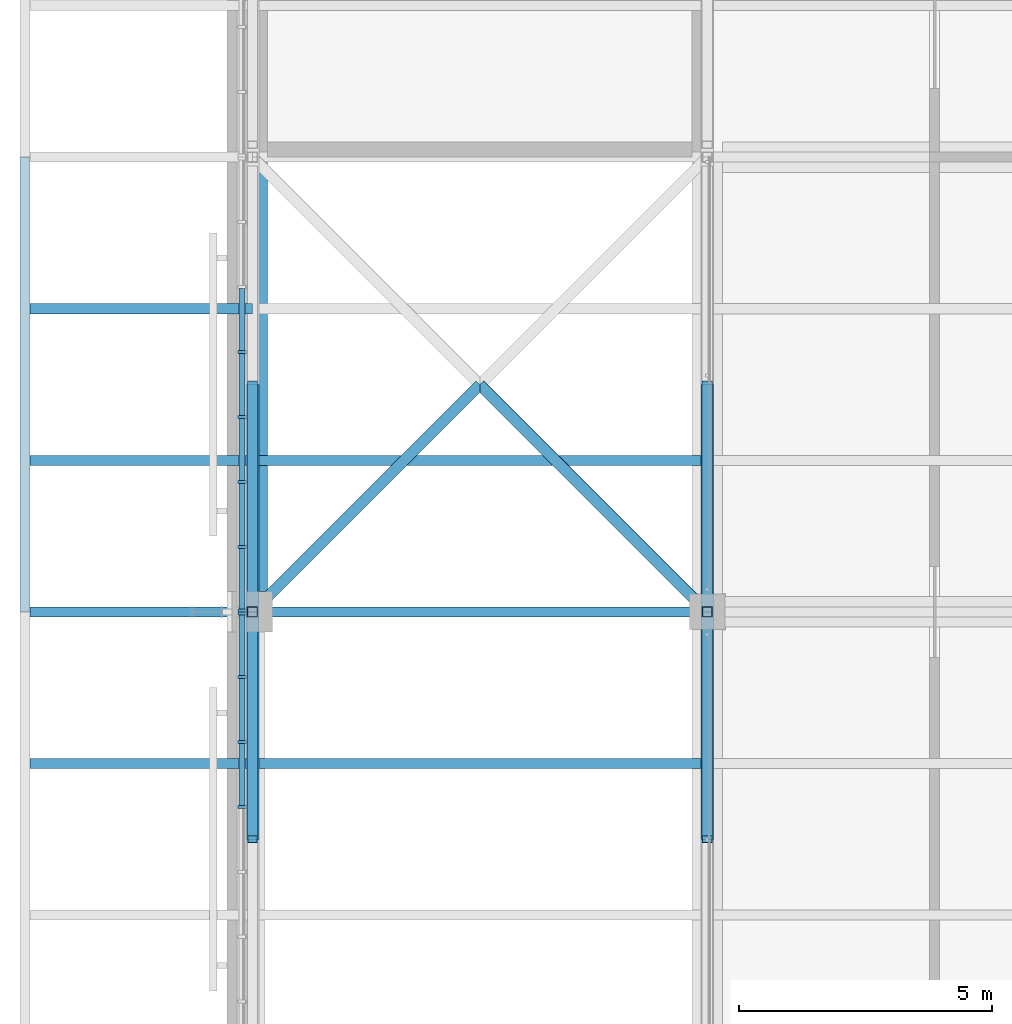
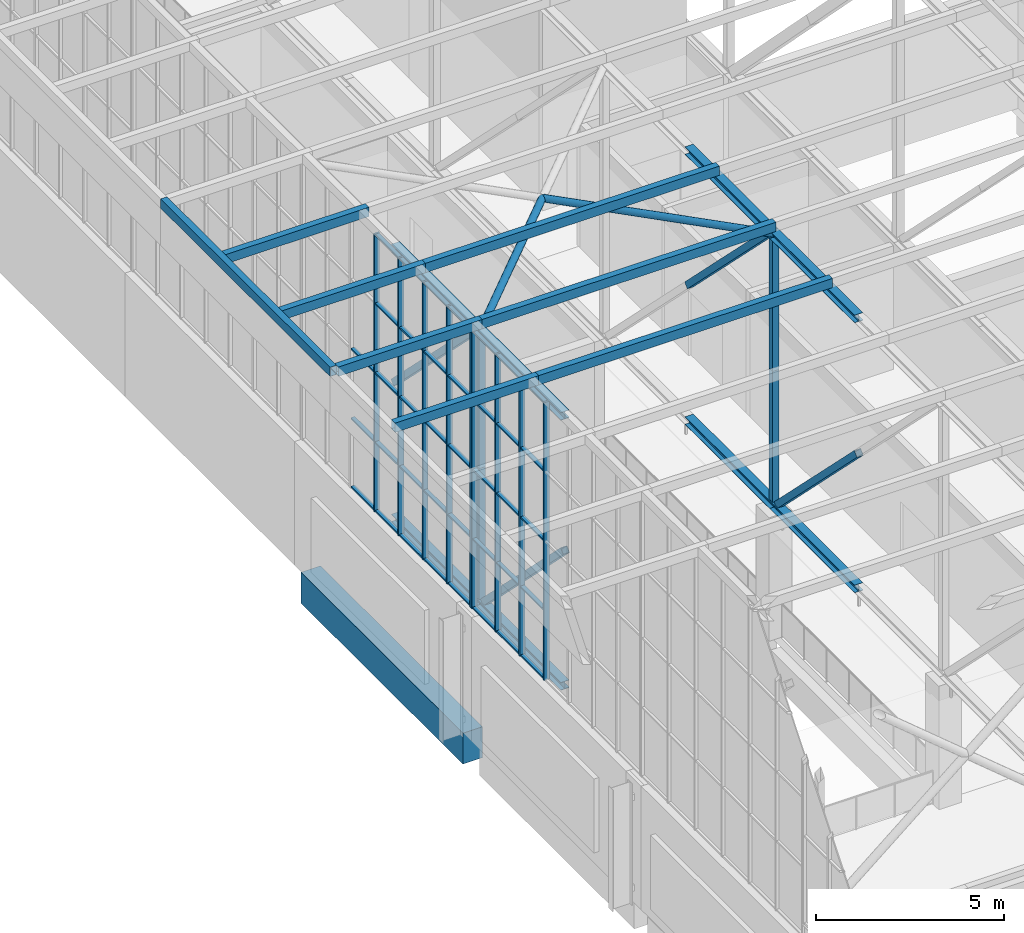
# One storey, part 22 of 646: 73 members, 1 beam, 2 elements without a shape of their own.
"""IFC4 building model written with IfcOpenShell, lengths in metres."""

from ifc_helpers import new_model, si_unit, direction, frame, origin, origin_2d, place, context, subcontext, project, spatial, rectangle, hollow_rectangle, hollow_circle, i_section, extrude, material, material_profile, profile_set, type_object, element, aggregate, save


model = new_model("IFC4")

# Units and contexts
model_context = context("Model", 3, precision=1e-05, world=origin(), true_north=direction((0.0, 1.0)))
body_context = subcontext(model_context, "Body", "Model", "MODEL_VIEW")
ifc_project = project(units=[si_unit("LENGTHUNIT", "METRE"), si_unit("AREAUNIT", "SQUARE_METRE"), si_unit("VOLUMEUNIT", "CUBIC_METRE"), si_unit("PLANEANGLEUNIT", "RADIAN"), si_unit("MASSUNIT", "GRAM", prefix="KILO")], contexts=[model_context])

# Site, building, storey
site_placement = place(None, origin())
site = spatial("IfcSite", under=ifc_project, at=site_placement, CompositionType="ELEMENT")
building_placement = place(site_placement, origin())
building = spatial("IfcBuilding", under=site, at=building_placement, Name="Silverbay Arena", CompositionType="ELEMENT")
storey_placement = place(building_placement, frame((0.0, 0.0, 33.5)))
storey = spatial("IfcBuildingStorey", under=building, at=storey_placement, Name="L05", CompositionType="ELEMENT", Elevation=33.5)

# Curtain wall, members
ifc_material_1 = material(Name="Aluminium framed glazing", Category="aluminium")
curtain_wall_type = type_object("IfcCurtainWallType", Name="Curtain wall clerestory 9000 x 9000", PredefinedType="NOTDEFINED", material=ifc_material_1)
curtain_wall_1_placement = place(storey_placement, origin())
curtain_wall_1 = element("IfcCurtainWall", 1, at=curtain_wall_1_placement, inside=storey, type_object=curtain_wall_type, Name="ROOF GABLE CLERESTORY CURTAIN WALL west bay 04", PredefinedType="NOTDEFINED")
ifc_material_2 = material(Name="Aluminium", Category="aluminium")
ifc_material_profile_1 = material_profile(ifc_material_2, rectangle(XDim=0.159912109375, YDim=0.06005859375, at=origin_2d()), Name="Mullion 60 x 160")
ifc_profile_set_1 = profile_set([ifc_material_profile_1], Name="Aluminium")
member_type_1 = type_object("IfcMemberType", Name="Mullion 60 x 160", PredefinedType="MULLION", material=ifc_profile_set_1)
member_1_placement = place(storey_placement, frame((53.7900390625, 41.142822265625, 4.0), z_axis=(0.0, 0.0, 1.0), x_axis=(-1.0, 0.0, 0.0)))
member_1 = element("IfcMember", 2, at=member_1_placement, type_object=member_type_1, Name="CW60 mullion 5", PredefinedType="MULLION", context=body_context, shape_type="SweptSolid", body=[
    extrude(rectangle(XDim=0.159912109375, YDim=0.06005859375, at=origin_2d()), origin(), (0.0, 0.0, 1.0), 9.0),
])
member_2_placement = place(storey_placement, frame((53.7900390625, 42.428466796875, 4.0), z_axis=(0.0, 0.0, 1.0), x_axis=(-1.0, 0.0, 0.0)))
member_2 = element("IfcMember", 3, at=member_2_placement, type_object=member_type_1, Name="CW60 mullion 6", PredefinedType="MULLION", context=body_context, shape_type="SweptSolid", body=[
    extrude(rectangle(XDim=0.159912109375, YDim=0.06005859375, at=origin_2d()), origin(), (0.0, 0.0, 1.0), 9.0),
])
member_3_placement = place(storey_placement, frame((53.7900390625, 43.71435546875, 4.0), z_axis=(0.0, 0.0, 1.0), x_axis=(-1.0, 0.0, 0.0)))
member_3 = element("IfcMember", 4, at=member_3_placement, type_object=member_type_1, Name="CW60 mullion 7", PredefinedType="MULLION", context=body_context, shape_type="SweptSolid", body=[
    extrude(rectangle(XDim=0.159912109375, YDim=0.06005859375, at=origin_2d()), origin(), (0.0, 0.0, 1.0), 9.0),
])
member_4_placement = place(storey_placement, frame((53.7900390625, 44.969970703125, 4.0), z_axis=(0.0, 0.0, 1.0), x_axis=(-1.0, 0.0, 0.0)))
member_4 = element("IfcMember", 5, at=member_4_placement, type_object=member_type_1, Name="CW60 mullion 8", PredefinedType="MULLION", context=body_context, shape_type="SweptSolid", body=[
    extrude(rectangle(XDim=0.159912109375, YDim=0.06005859375, at=origin_2d()), origin(), (0.0, 0.0, 1.0), 9.0),
])

curtain_wall_2_placement = place(storey_placement, origin())
curtain_wall_2 = element("IfcCurtainWall", 6, at=curtain_wall_2_placement, inside=storey, type_object=curtain_wall_type, Name="ROOF GABLE CLERESTORY CURTAIN WALL west bay 05", PredefinedType="NOTDEFINED")
member_5_placement = place(storey_placement, frame((53.7900390625, 45.030029296875, 4.0), z_axis=(0.0, 0.0, 1.0), x_axis=(-1.0, 0.0, 0.0)))
member_5 = element("IfcMember", 7, at=member_5_placement, type_object=member_type_1, Name="CW60 mullion 1", PredefinedType="MULLION", context=body_context, shape_type="SweptSolid", body=[
    extrude(rectangle(XDim=0.159912109375, YDim=0.06005859375, at=origin_2d()), origin(), (0.0, 0.0, 1.0), 9.0),
])
member_6_placement = place(storey_placement, frame((53.7900390625, 46.28564453125, 4.0), z_axis=(0.0, 0.0, 1.0), x_axis=(-1.0, 0.0, 0.0)))
member_6 = element("IfcMember", 8, at=member_6_placement, type_object=member_type_1, Name="CW60 mullion 2", PredefinedType="MULLION", context=body_context, shape_type="SweptSolid", body=[
    extrude(rectangle(XDim=0.159912109375, YDim=0.06005859375, at=origin_2d()), origin(), (0.0, 0.0, 1.0), 9.0),
])
member_7_placement = place(storey_placement, frame((53.7900390625, 47.571533203125, 4.0), z_axis=(0.0, 0.0, 1.0), x_axis=(-1.0, 0.0, 0.0)))
member_7 = element("IfcMember", 9, at=member_7_placement, type_object=member_type_1, Name="CW60 mullion 3", PredefinedType="MULLION", context=body_context, shape_type="SweptSolid", body=[
    extrude(rectangle(XDim=0.159912109375, YDim=0.06005859375, at=origin_2d()), origin(), (0.0, 0.0, 1.0), 9.0),
])
member_8_placement = place(storey_placement, frame((53.7900390625, 48.857177734375, 4.0), z_axis=(0.0, 0.0, 1.0), x_axis=(-1.0, 0.0, 0.0)))
member_8 = element("IfcMember", 10, at=member_8_placement, type_object=member_type_1, Name="CW60 mullion 4", PredefinedType="MULLION", context=body_context, shape_type="SweptSolid", body=[
    extrude(rectangle(XDim=0.159912109375, YDim=0.06005859375, at=origin_2d()), origin(), (0.0, 0.0, 1.0), 9.0),
])
member_9_placement = place(storey_placement, frame((53.7900390625, 50.142822265625, 4.0), z_axis=(0.0, 0.0, 1.0), x_axis=(-1.0, 0.0, 0.0)))
member_9 = element("IfcMember", 11, at=member_9_placement, type_object=member_type_1, Name="CW60 mullion 5", PredefinedType="MULLION", context=body_context, shape_type="SweptSolid", body=[
    extrude(rectangle(XDim=0.159912109375, YDim=0.06005859375, at=origin_2d()), origin(), (0.0, 0.0, 1.0), 9.0),
])

# Members
ifc_material_3 = material(Name="Steel S355", Category="steel")
ifc_material_profile_2 = material_profile(ifc_material_3, hollow_circle(Radius=0.109619140625, WallThickness=0.00634765625, at=origin_2d()), Name="CHS 219.1x6.3")
ifc_profile_set_2 = profile_set([ifc_material_profile_2], Name="Steel S355")
member_type_2 = type_object("IfcMemberType", Name="Plan bracing CHS 219.1x6.3", PredefinedType="BRACE", material=ifc_profile_set_2)
for number, where, z_axis, x_axis, name in (
    (12, (54.0, 45.0, 12.873046875), (0.707106781187, 0.707106781187, 0.0), (-0.707106781187, 0.707106781187, 0.0), "ROOF BRACING top 7-8 panel 05 Aa"),
    (13, (58.5, 49.5, 12.873046875), (0.707106781187, -0.707106781187, 0.0), (0.707106781187, 0.707106781187, 0.0), "ROOF BRACING top 7-8 panel 05 Bb"),
):
    element("IfcMember", number, at=place(storey_placement, frame(where, z_axis=z_axis, x_axis=x_axis)), inside=storey, type_object=member_type_2, Name=name, PredefinedType="BRACE", context=body_context, shape_type="SweptSolid", body=[
        extrude(hollow_circle(Radius=0.109619140625, WallThickness=0.00634765625, at=origin_2d()), origin(), (0.0, 0.0, 1.0), 6.364013671875),
    ])
ifc_material_4 = material(Name="Steel S355", Category="steel")
ifc_material_profile_3 = material_profile(ifc_material_4, hollow_rectangle(XDim=0.199951171875, YDim=0.300048828125, WallThickness=0.008056640625, at=origin_2d()), Name="RHS 300x200x8")
ifc_profile_set_3 = profile_set([ifc_material_profile_3], Name="Steel S355")
member_type_3 = type_object("IfcMemberType", Name="Purlin RHS 300x200x8", PredefinedType="PURLIN", material=ifc_profile_set_3)
for number, where, z_axis, x_axis, name in (
    (14, (54.0, 42.0, 13.14990234375), (1.0, 0.0, 0.0), (0.0, 1.0, 0.0), "ROOF PURLIN 7-8 line 12"),
    (15, (54.0, 45.0, 13.14990234375), (1.0, 0.0, 0.0), (0.0, 1.0, 0.0), "ROOF PURLIN 7-8 line 13"),
    (16, (54.0, 48.0, 13.14990234375), (1.0, 0.0, 0.0), (0.0, 1.0, 0.0), "ROOF PURLIN 7-8 line 14"),
):
    element("IfcMember", number, at=place(storey_placement, frame(where, z_axis=z_axis, x_axis=x_axis)), inside=storey, type_object=member_type_3, Name=name, PredefinedType="PURLIN", context=body_context, shape_type="SweptSolid", body=[
        extrude(hollow_rectangle(XDim=0.199951171875, YDim=0.300048828125, WallThickness=0.008056640625, at=origin_2d()), origin(), (0.0, 0.0, 1.0), 9.0),
    ])
for number, where, z_axis, x_axis, name in (
    (17, (49.60009765625, 42.0, 13.14990234375), (1.0, 0.0, 0.0), (0.0, 1.0, 0.0), "ROOF PURLIN west eave line 12"),
    (18, (49.60009765625, 45.0, 13.14990234375), (1.0, 0.0, 0.0), (0.0, 1.0, 0.0), "ROOF PURLIN west eave line 13"),
    (19, (49.60009765625, 48.0, 13.14990234375), (1.0, 0.0, 0.0), (0.0, 1.0, 0.0), "ROOF PURLIN west eave line 14"),
    (20, (49.60009765625, 51.0, 13.14990234375), (1.0, 0.0, 0.0), (0.0, 1.0, 0.0), "ROOF PURLIN west eave line 15"),
):
    element("IfcMember", number, at=place(storey_placement, frame(where, z_axis=z_axis, x_axis=x_axis)), inside=storey, type_object=member_type_3, Name=name, PredefinedType="PURLIN", context=body_context, shape_type="SweptSolid", body=[
        extrude(hollow_rectangle(XDim=0.199951171875, YDim=0.300048828125, WallThickness=0.008056640625, at=origin_2d()), origin(), (0.0, 0.0, 1.0), 4.39990234375),
    ])
member_10_placement = place(storey_placement, frame((49.5, 45.0, 13.14990234375), z_axis=(0.0, 1.0, 0.0), x_axis=(-1.0, 0.0, 0.0)))
element("IfcMember", 21, at=member_10_placement, inside=storey, type_object=member_type_3, Name="ROOF PURLIN west eave edge 05", PredefinedType="PURLIN", context=body_context, shape_type="SweptSolid", body=[
    extrude(hollow_rectangle(XDim=0.199951171875, YDim=0.300048828125, WallThickness=0.008056640625, at=origin_2d()), origin(), (0.0, 0.0, 1.0), 9.0),
])

# Beam
ifc_material_5 = material(Name="Concrete Grade C45", Category="concrete")
ifc_material_profile_4 = material_profile(ifc_material_5, rectangle(XDim=0.60009765625, YDim=1.0, at=origin_2d()), Name="RC 600x1000")
ifc_profile_set_4 = profile_set([ifc_material_profile_4], Name="Concrete Grade C45")
beam_type = type_object("IfcBeamType", Name="RC beam 600x1000", PredefinedType="BEAM", material=ifc_profile_set_4)
beam_placement = place(storey_placement, frame((54.0, 45.39990234375, -0.800048828125), z_axis=(0.0, 1.0, 0.0), x_axis=(-1.0, 0.0, 0.0)))
element("IfcBeam", 22, at=beam_placement, inside=storey, type_object=beam_type, Name="Floor beam L05 073", PredefinedType="BEAM", context=body_context, shape_type="SweptSolid", body=[
    extrude(rectangle(XDim=0.60009765625, YDim=1.0, at=origin_2d()), origin(), (0.0, 0.0, 1.0), 8.60009765625),
])

# Members
ifc_material_6 = material(Name="Steel S355", Category="steel")
ifc_material_profile_5 = material_profile(ifc_material_6, i_section(OverallWidth=0.254638671875, OverallDepth=0.254150390625, WebThickness=0.008544921875, FlangeThickness=0.01416015625, at=origin_2d()), Name="UC 254x254x73")
ifc_profile_set_5 = profile_set([ifc_material_profile_5], Name="Steel S355")
member_type_4 = type_object("IfcMemberType", Name="Short-span bottom chord UC 254x254x73", PredefinedType="CHORD", material=ifc_profile_set_5)
for number, where, z_axis, x_axis, name in (
    (23, (54.0, 40.5, 4.126953125), (0.0, 1.0, 0.0), (-1.0, 0.0, 0.0), "ROOF TRUSS 7 bottom chord 04b"),
    (24, (54.0, 45.0, 4.126953125), (0.0, 1.0, 0.0), (-1.0, 0.0, 0.0), "ROOF TRUSS 7 bottom chord 05a"),
    (25, (63.0, 40.5, 4.126953125), (0.0, 1.0, 0.0), (-1.0, 0.0, 0.0), "ROOF TRUSS 8 bottom chord 04b"),
    (26, (63.0, 45.0, 4.126953125), (0.0, 1.0, 0.0), (-1.0, 0.0, 0.0), "ROOF TRUSS 8 bottom chord 05a"),
):
    element("IfcMember", number, at=place(storey_placement, frame(where, z_axis=z_axis, x_axis=x_axis)), inside=storey, type_object=member_type_4, Name=name, PredefinedType="CHORD", context=body_context, shape_type="SweptSolid", body=[
        extrude(i_section(OverallWidth=0.254638671875, OverallDepth=0.254150390625, WebThickness=0.008544921875, FlangeThickness=0.01416015625, at=origin_2d()), origin(), (0.0, 0.0, 1.0), 4.5),
    ])
ifc_material_7 = material(Name="Steel S355", Category="steel")
ifc_material_profile_6 = material_profile(ifc_material_7, i_section(OverallWidth=0.254638671875, OverallDepth=0.254150390625, WebThickness=0.008544921875, FlangeThickness=0.01416015625, at=origin_2d()), Name="UC 254x254x73")
ifc_profile_set_6 = profile_set([ifc_material_profile_6], Name="Steel S355")
member_type_5 = type_object("IfcMemberType", Name="Short-span top chord UC 254x254x73", PredefinedType="CHORD", material=ifc_profile_set_6)
for number, where, z_axis, x_axis, name in (
    (27, (54.0, 40.5, 12.873046875), (0.0, 1.0, 0.0), (-1.0, 0.0, 0.0), "ROOF TRUSS 7 top chord 04b"),
    (28, (54.0, 45.0, 12.873046875), (0.0, 1.0, 0.0), (-1.0, 0.0, 0.0), "ROOF TRUSS 7 top chord 05a"),
    (29, (63.0, 40.5, 12.873046875), (0.0, 1.0, 0.0), (-1.0, 0.0, 0.0), "ROOF TRUSS 8 top chord 04b"),
    (30, (63.0, 45.0, 12.873046875), (0.0, 1.0, 0.0), (-1.0, 0.0, 0.0), "ROOF TRUSS 8 top chord 05a"),
):
    element("IfcMember", number, at=place(storey_placement, frame(where, z_axis=z_axis, x_axis=x_axis)), inside=storey, type_object=member_type_5, Name=name, PredefinedType="CHORD", context=body_context, shape_type="SweptSolid", body=[
        extrude(i_section(OverallWidth=0.254638671875, OverallDepth=0.254150390625, WebThickness=0.008544921875, FlangeThickness=0.01416015625, at=origin_2d()), origin(), (0.0, 0.0, 1.0), 4.5),
    ])
ifc_material_8 = material(Name="Steel S355", Category="steel")
ifc_material_profile_7 = material_profile(ifc_material_8, hollow_rectangle(XDim=0.199951171875, YDim=0.199951171875, WallThickness=0.008056640625, at=origin_2d()), Name="SHS 200x200x8")
ifc_profile_set_7 = profile_set([ifc_material_profile_7], Name="Steel S355")
member_type_6 = type_object("IfcMemberType", Name="Short-span truss diagonal SHS 200x200x8", PredefinedType="BRACE", material=ifc_profile_set_7)
for number, where, z_axis, x_axis, name in (
    (31, (54.0, 40.5, 8.5), (0.0, 0.70781724692, -0.706395600894), (-1.0, 0.0, 0.0), "ROOF TRUSS 7 diagonal 04b"),
    (32, (54.0, 45.24560546875, 12.745849609375), (0.0, 0.70781724692, -0.706395600894), (-1.0, 0.0, 0.0), "ROOF TRUSS 7 diagonal 05a"),
    (33, (63.0, 40.5, 8.5), (0.0, 0.70781724692, -0.706395600894), (-1.0, 0.0, 0.0), "ROOF TRUSS 8 diagonal 04b"),
    (34, (63.0, 45.24560546875, 12.745849609375), (0.0, 0.70781724692, -0.706395600894), (-1.0, 0.0, 0.0), "ROOF TRUSS 8 diagonal 05a"),
):
    element("IfcMember", number, at=place(storey_placement, frame(where, z_axis=z_axis, x_axis=x_axis)), inside=storey, type_object=member_type_6, Name=name, PredefinedType="BRACE", context=body_context, shape_type="SweptSolid", body=[
        extrude(hollow_rectangle(XDim=0.199951171875, YDim=0.199951171875, WallThickness=0.008056640625, at=origin_2d()), origin(), (0.0, 0.0, 1.0), 6.010498046875),
    ])
ifc_material_9 = material(Name="Steel S355", Category="steel")
ifc_material_profile_8 = material_profile(ifc_material_9, hollow_rectangle(XDim=0.199951171875, YDim=0.199951171875, WallThickness=0.008056640625, at=origin_2d()), Name="SHS 200x200x8")
ifc_profile_set_8 = profile_set([ifc_material_profile_8], Name="Steel S355")
member_type_7 = type_object("IfcMemberType", Name="Short-span truss vertical SHS 200x200x8", PredefinedType="STRUT", material=ifc_profile_set_8)
for number, where, z_axis, x_axis, name in (
    (35, (54.0, 45.0, 4.254150390625), (0.0, 0.0, 1.0), (1.0, 0.0, 0.0), "ROOF TRUSS 7 vertical 05a"),
    (36, (54.0, 45.0, 8.5), (0.0, 0.0, 1.0), (1.0, 0.0, 0.0), "ROOF TRUSS 7 vertical 05b"),
    (37, (63.0, 45.0, 4.254150390625), (0.0, 0.0, 1.0), (1.0, 0.0, 0.0), "ROOF TRUSS 8 vertical 05a"),
    (38, (63.0, 45.0, 8.5), (0.0, 0.0, 1.0), (1.0, 0.0, 0.0), "ROOF TRUSS 8 vertical 05b"),
):
    element("IfcMember", number, at=place(storey_placement, frame(where, z_axis=z_axis, x_axis=x_axis)), inside=storey, type_object=member_type_7, Name=name, PredefinedType="STRUT", context=body_context, shape_type="SweptSolid", body=[
        extrude(hollow_rectangle(XDim=0.199951171875, YDim=0.199951171875, WallThickness=0.008056640625, at=origin_2d()), origin(), (0.0, 0.0, 1.0), 4.245849609375),
    ])

# Member
ifc_material_10 = material(Name="Aluminium", Category="aluminium")
ifc_material_profile_9 = material_profile(ifc_material_10, rectangle(XDim=0.1201171875, YDim=0.050048828125, at=origin_2d()), Name="Transom 50 x 120")
ifc_profile_set_9 = profile_set([ifc_material_profile_9], Name="Aluminium")
member_type_8 = type_object("IfcMemberType", Name="Transom 50 x 120", PredefinedType="USERDEFINED", material=ifc_profile_set_9)
member_11_placement = place(storey_placement, frame((53.7900390625, 41.1728515625, 4.02490234375), z_axis=(0.0, 1.0, 0.0), x_axis=(-1.0, 0.0, 0.0)))
member_11 = element("IfcMember", 39, at=member_11_placement, type_object=member_type_8, Name="CW60 transom 5.1", ObjectType="TRANSOM", PredefinedType="USERDEFINED", context=body_context, shape_type="SweptSolid", body=[
    extrude(rectangle(XDim=0.1201171875, YDim=0.050048828125, at=origin_2d()), origin(), (0.0, 0.0, 1.0), 1.225830078125),
])

member_12_placement = place(storey_placement, frame((53.7900390625, 41.1728515625, 6.25), z_axis=(0.0, 1.0, 0.0), x_axis=(-1.0, 0.0, 0.0)))
member_12 = element("IfcMember", 40, at=member_12_placement, type_object=member_type_8, Name="CW60 transom 5.2", ObjectType="TRANSOM", PredefinedType="USERDEFINED", context=body_context, shape_type="SweptSolid", body=[
    extrude(rectangle(XDim=0.1201171875, YDim=0.050048828125, at=origin_2d()), origin(), (0.0, 0.0, 1.0), 1.225830078125),
])

member_13_placement = place(storey_placement, frame((53.7900390625, 41.1728515625, 8.5), z_axis=(0.0, 1.0, 0.0), x_axis=(-1.0, 0.0, 0.0)))
member_13 = element("IfcMember", 41, at=member_13_placement, type_object=member_type_8, Name="CW60 transom 5.3", ObjectType="TRANSOM", PredefinedType="USERDEFINED", context=body_context, shape_type="SweptSolid", body=[
    extrude(rectangle(XDim=0.1201171875, YDim=0.050048828125, at=origin_2d()), origin(), (0.0, 0.0, 1.0), 1.225830078125),
])

member_14_placement = place(storey_placement, frame((53.7900390625, 41.1728515625, 10.75), z_axis=(0.0, 1.0, 0.0), x_axis=(-1.0, 0.0, 0.0)))
member_14 = element("IfcMember", 42, at=member_14_placement, type_object=member_type_8, Name="CW60 transom 5.4", ObjectType="TRANSOM", PredefinedType="USERDEFINED", context=body_context, shape_type="SweptSolid", body=[
    extrude(rectangle(XDim=0.1201171875, YDim=0.050048828125, at=origin_2d()), origin(), (0.0, 0.0, 1.0), 1.225830078125),
])

member_15_placement = place(storey_placement, frame((53.7900390625, 41.1728515625, 12.97509765625), z_axis=(0.0, 1.0, 0.0), x_axis=(-1.0, 0.0, 0.0)))
member_15 = element("IfcMember", 43, at=member_15_placement, type_object=member_type_8, Name="CW60 transom 5.5", ObjectType="TRANSOM", PredefinedType="USERDEFINED", context=body_context, shape_type="SweptSolid", body=[
    extrude(rectangle(XDim=0.1201171875, YDim=0.050048828125, at=origin_2d()), origin(), (0.0, 0.0, 1.0), 1.225830078125),
])

member_16_placement = place(storey_placement, frame((53.7900390625, 42.45849609375, 4.02490234375), z_axis=(0.0, 1.0, 0.0), x_axis=(-1.0, 0.0, 0.0)))
member_16 = element("IfcMember", 44, at=member_16_placement, type_object=member_type_8, Name="CW60 transom 6.1", ObjectType="TRANSOM", PredefinedType="USERDEFINED", context=body_context, shape_type="SweptSolid", body=[
    extrude(rectangle(XDim=0.1201171875, YDim=0.050048828125, at=origin_2d()), origin(), (0.0, 0.0, 1.0), 1.225830078125),
])

member_17_placement = place(storey_placement, frame((53.7900390625, 42.45849609375, 6.25), z_axis=(0.0, 1.0, 0.0), x_axis=(-1.0, 0.0, 0.0)))
member_17 = element("IfcMember", 45, at=member_17_placement, type_object=member_type_8, Name="CW60 transom 6.2", ObjectType="TRANSOM", PredefinedType="USERDEFINED", context=body_context, shape_type="SweptSolid", body=[
    extrude(rectangle(XDim=0.1201171875, YDim=0.050048828125, at=origin_2d()), origin(), (0.0, 0.0, 1.0), 1.225830078125),
])

member_18_placement = place(storey_placement, frame((53.7900390625, 42.45849609375, 8.5), z_axis=(0.0, 1.0, 0.0), x_axis=(-1.0, 0.0, 0.0)))
member_18 = element("IfcMember", 46, at=member_18_placement, type_object=member_type_8, Name="CW60 transom 6.3", ObjectType="TRANSOM", PredefinedType="USERDEFINED", context=body_context, shape_type="SweptSolid", body=[
    extrude(rectangle(XDim=0.1201171875, YDim=0.050048828125, at=origin_2d()), origin(), (0.0, 0.0, 1.0), 1.225830078125),
])

member_19_placement = place(storey_placement, frame((53.7900390625, 42.45849609375, 10.75), z_axis=(0.0, 1.0, 0.0), x_axis=(-1.0, 0.0, 0.0)))
member_19 = element("IfcMember", 47, at=member_19_placement, type_object=member_type_8, Name="CW60 transom 6.4", ObjectType="TRANSOM", PredefinedType="USERDEFINED", context=body_context, shape_type="SweptSolid", body=[
    extrude(rectangle(XDim=0.1201171875, YDim=0.050048828125, at=origin_2d()), origin(), (0.0, 0.0, 1.0), 1.225830078125),
])

member_20_placement = place(storey_placement, frame((53.7900390625, 42.45849609375, 12.97509765625), z_axis=(0.0, 1.0, 0.0), x_axis=(-1.0, 0.0, 0.0)))
member_20 = element("IfcMember", 48, at=member_20_placement, type_object=member_type_8, Name="CW60 transom 6.5", ObjectType="TRANSOM", PredefinedType="USERDEFINED", context=body_context, shape_type="SweptSolid", body=[
    extrude(rectangle(XDim=0.1201171875, YDim=0.050048828125, at=origin_2d()), origin(), (0.0, 0.0, 1.0), 1.225830078125),
])

member_21_placement = place(storey_placement, frame((53.7900390625, 43.744384765625, 4.02490234375), z_axis=(0.0, 1.0, 0.0), x_axis=(-1.0, 0.0, 0.0)))
member_21 = element("IfcMember", 49, at=member_21_placement, type_object=member_type_8, Name="CW60 transom 7.1", ObjectType="TRANSOM", PredefinedType="USERDEFINED", context=body_context, shape_type="SweptSolid", body=[
    extrude(rectangle(XDim=0.1201171875, YDim=0.050048828125, at=origin_2d()), origin(), (0.0, 0.0, 1.0), 1.195556640625),
])

member_22_placement = place(storey_placement, frame((53.7900390625, 43.744384765625, 6.25), z_axis=(0.0, 1.0, 0.0), x_axis=(-1.0, 0.0, 0.0)))
member_22 = element("IfcMember", 50, at=member_22_placement, type_object=member_type_8, Name="CW60 transom 7.2", ObjectType="TRANSOM", PredefinedType="USERDEFINED", context=body_context, shape_type="SweptSolid", body=[
    extrude(rectangle(XDim=0.1201171875, YDim=0.050048828125, at=origin_2d()), origin(), (0.0, 0.0, 1.0), 1.195556640625),
])

member_23_placement = place(storey_placement, frame((53.7900390625, 43.744384765625, 8.5), z_axis=(0.0, 1.0, 0.0), x_axis=(-1.0, 0.0, 0.0)))
member_23 = element("IfcMember", 51, at=member_23_placement, type_object=member_type_8, Name="CW60 transom 7.3", ObjectType="TRANSOM", PredefinedType="USERDEFINED", context=body_context, shape_type="SweptSolid", body=[
    extrude(rectangle(XDim=0.1201171875, YDim=0.050048828125, at=origin_2d()), origin(), (0.0, 0.0, 1.0), 1.195556640625),
])

member_24_placement = place(storey_placement, frame((53.7900390625, 43.744384765625, 10.75), z_axis=(0.0, 1.0, 0.0), x_axis=(-1.0, 0.0, 0.0)))
member_24 = element("IfcMember", 52, at=member_24_placement, type_object=member_type_8, Name="CW60 transom 7.4", ObjectType="TRANSOM", PredefinedType="USERDEFINED", context=body_context, shape_type="SweptSolid", body=[
    extrude(rectangle(XDim=0.1201171875, YDim=0.050048828125, at=origin_2d()), origin(), (0.0, 0.0, 1.0), 1.195556640625),
])

member_25_placement = place(storey_placement, frame((53.7900390625, 43.744384765625, 12.97509765625), z_axis=(0.0, 1.0, 0.0), x_axis=(-1.0, 0.0, 0.0)))
member_25 = element("IfcMember", 53, at=member_25_placement, type_object=member_type_8, Name="CW60 transom 7.5", ObjectType="TRANSOM", PredefinedType="USERDEFINED", context=body_context, shape_type="SweptSolid", body=[
    extrude(rectangle(XDim=0.1201171875, YDim=0.050048828125, at=origin_2d()), origin(), (0.0, 0.0, 1.0), 1.195556640625),
])

aggregate(curtain_wall_1, [member_1, member_2, member_3, member_4, member_11, member_12, member_13, member_14, member_15, member_16, member_17, member_18, member_19, member_20, member_21, member_22, member_23, member_24, member_25])

member_26_placement = place(storey_placement, frame((53.7900390625, 45.06005859375, 4.02490234375), z_axis=(0.0, 1.0, 0.0), x_axis=(-1.0, 0.0, 0.0)))
member_26 = element("IfcMember", 54, at=member_26_placement, type_object=member_type_8, Name="CW60 transom 1.1", ObjectType="TRANSOM", PredefinedType="USERDEFINED", context=body_context, shape_type="SweptSolid", body=[
    extrude(rectangle(XDim=0.1201171875, YDim=0.050048828125, at=origin_2d()), origin(), (0.0, 0.0, 1.0), 1.195556640625),
])

member_27_placement = place(storey_placement, frame((53.7900390625, 45.06005859375, 6.25), z_axis=(0.0, 1.0, 0.0), x_axis=(-1.0, 0.0, 0.0)))
member_27 = element("IfcMember", 55, at=member_27_placement, type_object=member_type_8, Name="CW60 transom 1.2", ObjectType="TRANSOM", PredefinedType="USERDEFINED", context=body_context, shape_type="SweptSolid", body=[
    extrude(rectangle(XDim=0.1201171875, YDim=0.050048828125, at=origin_2d()), origin(), (0.0, 0.0, 1.0), 1.195556640625),
])

member_28_placement = place(storey_placement, frame((53.7900390625, 45.06005859375, 8.5), z_axis=(0.0, 1.0, 0.0), x_axis=(-1.0, 0.0, 0.0)))
member_28 = element("IfcMember", 56, at=member_28_placement, type_object=member_type_8, Name="CW60 transom 1.3", ObjectType="TRANSOM", PredefinedType="USERDEFINED", context=body_context, shape_type="SweptSolid", body=[
    extrude(rectangle(XDim=0.1201171875, YDim=0.050048828125, at=origin_2d()), origin(), (0.0, 0.0, 1.0), 1.195556640625),
])

member_29_placement = place(storey_placement, frame((53.7900390625, 45.06005859375, 10.75), z_axis=(0.0, 1.0, 0.0), x_axis=(-1.0, 0.0, 0.0)))
member_29 = element("IfcMember", 57, at=member_29_placement, type_object=member_type_8, Name="CW60 transom 1.4", ObjectType="TRANSOM", PredefinedType="USERDEFINED", context=body_context, shape_type="SweptSolid", body=[
    extrude(rectangle(XDim=0.1201171875, YDim=0.050048828125, at=origin_2d()), origin(), (0.0, 0.0, 1.0), 1.195556640625),
])

member_30_placement = place(storey_placement, frame((53.7900390625, 45.06005859375, 12.97509765625), z_axis=(0.0, 1.0, 0.0), x_axis=(-1.0, 0.0, 0.0)))
member_30 = element("IfcMember", 58, at=member_30_placement, type_object=member_type_8, Name="CW60 transom 1.5", ObjectType="TRANSOM", PredefinedType="USERDEFINED", context=body_context, shape_type="SweptSolid", body=[
    extrude(rectangle(XDim=0.1201171875, YDim=0.050048828125, at=origin_2d()), origin(), (0.0, 0.0, 1.0), 1.195556640625),
])

member_31_placement = place(storey_placement, frame((53.7900390625, 46.315673828125, 4.02490234375), z_axis=(0.0, 1.0, 0.0), x_axis=(-1.0, 0.0, 0.0)))
member_31 = element("IfcMember", 59, at=member_31_placement, type_object=member_type_8, Name="CW60 transom 2.1", ObjectType="TRANSOM", PredefinedType="USERDEFINED", context=body_context, shape_type="SweptSolid", body=[
    extrude(rectangle(XDim=0.1201171875, YDim=0.050048828125, at=origin_2d()), origin(), (0.0, 0.0, 1.0), 1.225830078125),
])

member_32_placement = place(storey_placement, frame((53.7900390625, 46.315673828125, 6.25), z_axis=(0.0, 1.0, 0.0), x_axis=(-1.0, 0.0, 0.0)))
member_32 = element("IfcMember", 60, at=member_32_placement, type_object=member_type_8, Name="CW60 transom 2.2", ObjectType="TRANSOM", PredefinedType="USERDEFINED", context=body_context, shape_type="SweptSolid", body=[
    extrude(rectangle(XDim=0.1201171875, YDim=0.050048828125, at=origin_2d()), origin(), (0.0, 0.0, 1.0), 1.225830078125),
])

member_33_placement = place(storey_placement, frame((53.7900390625, 46.315673828125, 8.5), z_axis=(0.0, 1.0, 0.0), x_axis=(-1.0, 0.0, 0.0)))
member_33 = element("IfcMember", 61, at=member_33_placement, type_object=member_type_8, Name="CW60 transom 2.3", ObjectType="TRANSOM", PredefinedType="USERDEFINED", context=body_context, shape_type="SweptSolid", body=[
    extrude(rectangle(XDim=0.1201171875, YDim=0.050048828125, at=origin_2d()), origin(), (0.0, 0.0, 1.0), 1.225830078125),
])

member_34_placement = place(storey_placement, frame((53.7900390625, 46.315673828125, 10.75), z_axis=(0.0, 1.0, 0.0), x_axis=(-1.0, 0.0, 0.0)))
member_34 = element("IfcMember", 62, at=member_34_placement, type_object=member_type_8, Name="CW60 transom 2.4", ObjectType="TRANSOM", PredefinedType="USERDEFINED", context=body_context, shape_type="SweptSolid", body=[
    extrude(rectangle(XDim=0.1201171875, YDim=0.050048828125, at=origin_2d()), origin(), (0.0, 0.0, 1.0), 1.225830078125),
])

member_35_placement = place(storey_placement, frame((53.7900390625, 46.315673828125, 12.97509765625), z_axis=(0.0, 1.0, 0.0), x_axis=(-1.0, 0.0, 0.0)))
member_35 = element("IfcMember", 63, at=member_35_placement, type_object=member_type_8, Name="CW60 transom 2.5", ObjectType="TRANSOM", PredefinedType="USERDEFINED", context=body_context, shape_type="SweptSolid", body=[
    extrude(rectangle(XDim=0.1201171875, YDim=0.050048828125, at=origin_2d()), origin(), (0.0, 0.0, 1.0), 1.225830078125),
])

member_36_placement = place(storey_placement, frame((53.7900390625, 47.601318359375, 4.02490234375), z_axis=(0.0, 1.0, 0.0), x_axis=(-1.0, 0.0, 0.0)))
member_36 = element("IfcMember", 64, at=member_36_placement, type_object=member_type_8, Name="CW60 transom 3.1", ObjectType="TRANSOM", PredefinedType="USERDEFINED", context=body_context, shape_type="SweptSolid", body=[
    extrude(rectangle(XDim=0.1201171875, YDim=0.050048828125, at=origin_2d()), origin(), (0.0, 0.0, 1.0), 1.225830078125),
])

member_37_placement = place(storey_placement, frame((53.7900390625, 47.601318359375, 6.25), z_axis=(0.0, 1.0, 0.0), x_axis=(-1.0, 0.0, 0.0)))
member_37 = element("IfcMember", 65, at=member_37_placement, type_object=member_type_8, Name="CW60 transom 3.2", ObjectType="TRANSOM", PredefinedType="USERDEFINED", context=body_context, shape_type="SweptSolid", body=[
    extrude(rectangle(XDim=0.1201171875, YDim=0.050048828125, at=origin_2d()), origin(), (0.0, 0.0, 1.0), 1.225830078125),
])

member_38_placement = place(storey_placement, frame((53.7900390625, 47.601318359375, 8.5), z_axis=(0.0, 1.0, 0.0), x_axis=(-1.0, 0.0, 0.0)))
member_38 = element("IfcMember", 66, at=member_38_placement, type_object=member_type_8, Name="CW60 transom 3.3", ObjectType="TRANSOM", PredefinedType="USERDEFINED", context=body_context, shape_type="SweptSolid", body=[
    extrude(rectangle(XDim=0.1201171875, YDim=0.050048828125, at=origin_2d()), origin(), (0.0, 0.0, 1.0), 1.225830078125),
])

member_39_placement = place(storey_placement, frame((53.7900390625, 47.601318359375, 10.75), z_axis=(0.0, 1.0, 0.0), x_axis=(-1.0, 0.0, 0.0)))
member_39 = element("IfcMember", 67, at=member_39_placement, type_object=member_type_8, Name="CW60 transom 3.4", ObjectType="TRANSOM", PredefinedType="USERDEFINED", context=body_context, shape_type="SweptSolid", body=[
    extrude(rectangle(XDim=0.1201171875, YDim=0.050048828125, at=origin_2d()), origin(), (0.0, 0.0, 1.0), 1.225830078125),
])

member_40_placement = place(storey_placement, frame((53.7900390625, 47.601318359375, 12.97509765625), z_axis=(0.0, 1.0, 0.0), x_axis=(-1.0, 0.0, 0.0)))
member_40 = element("IfcMember", 68, at=member_40_placement, type_object=member_type_8, Name="CW60 transom 3.5", ObjectType="TRANSOM", PredefinedType="USERDEFINED", context=body_context, shape_type="SweptSolid", body=[
    extrude(rectangle(XDim=0.1201171875, YDim=0.050048828125, at=origin_2d()), origin(), (0.0, 0.0, 1.0), 1.225830078125),
])

member_41_placement = place(storey_placement, frame((53.7900390625, 48.88720703125, 4.02490234375), z_axis=(0.0, 1.0, 0.0), x_axis=(-1.0, 0.0, 0.0)))
member_41 = element("IfcMember", 69, at=member_41_placement, type_object=member_type_8, Name="CW60 transom 4.1", ObjectType="TRANSOM", PredefinedType="USERDEFINED", context=body_context, shape_type="SweptSolid", body=[
    extrude(rectangle(XDim=0.1201171875, YDim=0.050048828125, at=origin_2d()), origin(), (0.0, 0.0, 1.0), 1.2255859375),
])

member_42_placement = place(storey_placement, frame((53.7900390625, 48.88720703125, 6.25), z_axis=(0.0, 1.0, 0.0), x_axis=(-1.0, 0.0, 0.0)))
member_42 = element("IfcMember", 70, at=member_42_placement, type_object=member_type_8, Name="CW60 transom 4.2", ObjectType="TRANSOM", PredefinedType="USERDEFINED", context=body_context, shape_type="SweptSolid", body=[
    extrude(rectangle(XDim=0.1201171875, YDim=0.050048828125, at=origin_2d()), origin(), (0.0, 0.0, 1.0), 1.2255859375),
])

member_43_placement = place(storey_placement, frame((53.7900390625, 48.88720703125, 8.5), z_axis=(0.0, 1.0, 0.0), x_axis=(-1.0, 0.0, 0.0)))
member_43 = element("IfcMember", 71, at=member_43_placement, type_object=member_type_8, Name="CW60 transom 4.3", ObjectType="TRANSOM", PredefinedType="USERDEFINED", context=body_context, shape_type="SweptSolid", body=[
    extrude(rectangle(XDim=0.1201171875, YDim=0.050048828125, at=origin_2d()), origin(), (0.0, 0.0, 1.0), 1.2255859375),
])

member_44_placement = place(storey_placement, frame((53.7900390625, 48.88720703125, 10.75), z_axis=(0.0, 1.0, 0.0), x_axis=(-1.0, 0.0, 0.0)))
member_44 = element("IfcMember", 72, at=member_44_placement, type_object=member_type_8, Name="CW60 transom 4.4", ObjectType="TRANSOM", PredefinedType="USERDEFINED", context=body_context, shape_type="SweptSolid", body=[
    extrude(rectangle(XDim=0.1201171875, YDim=0.050048828125, at=origin_2d()), origin(), (0.0, 0.0, 1.0), 1.2255859375),
])

member_45_placement = place(storey_placement, frame((53.7900390625, 48.88720703125, 12.97509765625), z_axis=(0.0, 1.0, 0.0), x_axis=(-1.0, 0.0, 0.0)))
member_45 = element("IfcMember", 73, at=member_45_placement, type_object=member_type_8, Name="CW60 transom 4.5", ObjectType="TRANSOM", PredefinedType="USERDEFINED", context=body_context, shape_type="SweptSolid", body=[
    extrude(rectangle(XDim=0.1201171875, YDim=0.050048828125, at=origin_2d()), origin(), (0.0, 0.0, 1.0), 1.2255859375),
])

member_46_placement = place(storey_placement, frame((53.7900390625, 50.1728515625, 4.02490234375), z_axis=(0.0, 1.0, 0.0), x_axis=(-1.0, 0.0, 0.0)))
member_46 = element("IfcMember", 74, at=member_46_placement, type_object=member_type_8, Name="CW60 transom 5.1", ObjectType="TRANSOM", PredefinedType="USERDEFINED", context=body_context, shape_type="SweptSolid", body=[
    extrude(rectangle(XDim=0.1201171875, YDim=0.050048828125, at=origin_2d()), origin(), (0.0, 0.0, 1.0), 1.225830078125),
])

member_47_placement = place(storey_placement, frame((53.7900390625, 50.1728515625, 6.25), z_axis=(0.0, 1.0, 0.0), x_axis=(-1.0, 0.0, 0.0)))
member_47 = element("IfcMember", 75, at=member_47_placement, type_object=member_type_8, Name="CW60 transom 5.2", ObjectType="TRANSOM", PredefinedType="USERDEFINED", context=body_context, shape_type="SweptSolid", body=[
    extrude(rectangle(XDim=0.1201171875, YDim=0.050048828125, at=origin_2d()), origin(), (0.0, 0.0, 1.0), 1.225830078125),
])

member_48_placement = place(storey_placement, frame((53.7900390625, 50.1728515625, 8.5), z_axis=(0.0, 1.0, 0.0), x_axis=(-1.0, 0.0, 0.0)))
member_48 = element("IfcMember", 76, at=member_48_placement, type_object=member_type_8, Name="CW60 transom 5.3", ObjectType="TRANSOM", PredefinedType="USERDEFINED", context=body_context, shape_type="SweptSolid", body=[
    extrude(rectangle(XDim=0.1201171875, YDim=0.050048828125, at=origin_2d()), origin(), (0.0, 0.0, 1.0), 1.225830078125),
])

aggregate(curtain_wall_2, [member_5, member_6, member_7, member_8, member_9, member_26, member_27, member_28, member_29, member_30, member_31, member_32, member_33, member_34, member_35, member_36, member_37, member_38, member_39, member_40, member_41, member_42, member_43, member_44, member_45, member_46, member_47, member_48])

save(model, "model.ifc")
